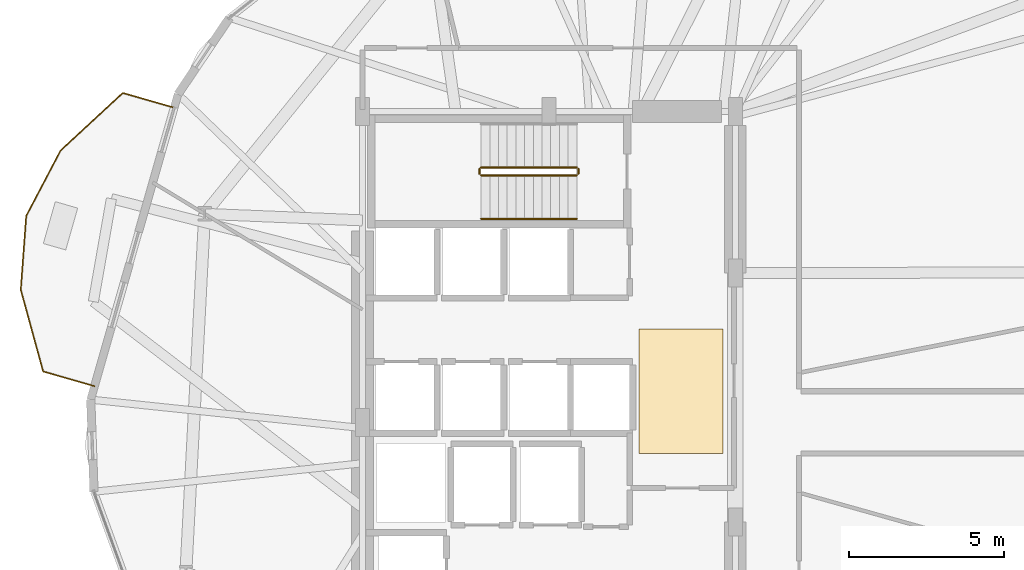
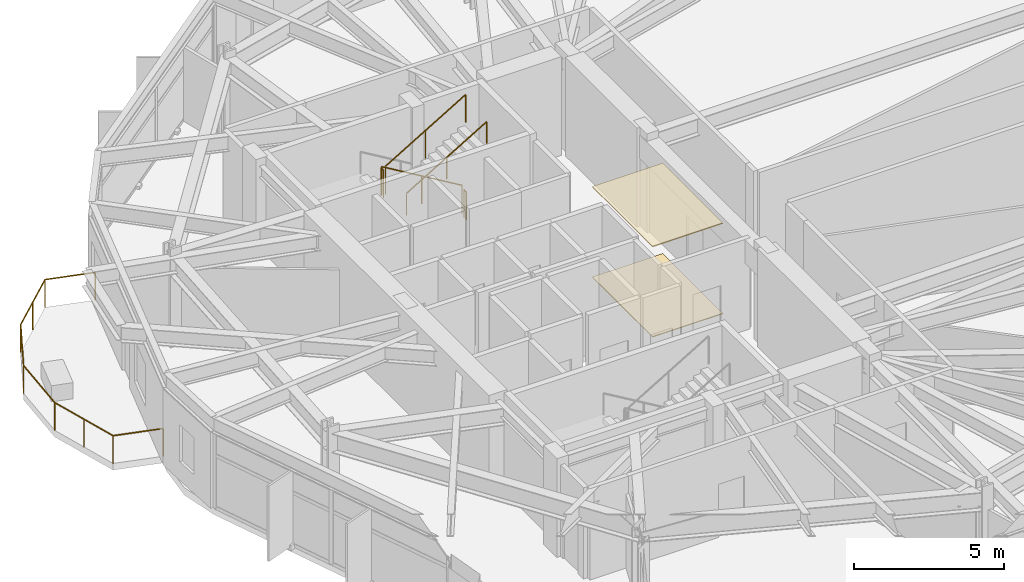
# One storey, part 20 of 21: 6 railings, 2 coverings.
"""IFC4 building model written with IfcOpenShell, lengths in metres."""

from ifc_helpers import new_model, si_unit, direction, frame, origin, origin_2d, place, context, subcontext, project, spatial, polyline, circle, outline, extrude, material, layer, layer_set, type_object, element, save


model = new_model("IFC4")

# Units and contexts
model_context = context("Model", 3, precision=1e-05, world=origin(), true_north=direction((0.0, 1.0)))
body_context = subcontext(model_context, "Body", "Model", "MODEL_VIEW")
ifc_project = project(units=[si_unit("LENGTHUNIT", "METRE"), si_unit("AREAUNIT", "SQUARE_METRE"), si_unit("VOLUMEUNIT", "CUBIC_METRE"), si_unit("PLANEANGLEUNIT", "RADIAN"), si_unit("MASSUNIT", "GRAM", prefix="KILO")], contexts=[model_context])

# Site, building, storey
site_placement = place(None, origin())
site = spatial("IfcSite", under=ifc_project, at=site_placement, CompositionType="ELEMENT")
building_placement = place(site_placement, origin())
building = spatial("IfcBuilding", under=site, at=building_placement, Name="Soratama Intermodal Tower", CompositionType="ELEMENT")
storey_placement = place(building_placement, frame((0.0, 0.0, 34.60009765625)))
storey = spatial("IfcBuildingStorey", under=building, at=storey_placement, Name="L07", CompositionType="ELEMENT", Elevation=34.60009765625)

# Coverings
ifc_material_1 = material(Name="Perforated mineral acoustic ceiling", Category="concrete")
ifc_layer_1 = layer(ifc_material_1, 0.0400390625)
ifc_layer_set_1 = layer_set([ifc_layer_1], Name="Perforated mineral acoustic ceiling")
covering_type_1 = type_object("IfcCoveringType", Name="CV-CEIL-ACOUSTIC", PredefinedType="CEILING", material=ifc_layer_set_1)
covering_1_placement = place(storey_placement, frame((0.0, 0.0, 3.659912109375)))
element("IfcCovering", 1, at=covering_1_placement, inside=storey, type_object=covering_type_1, Name="L07 Acoustic Ceiling", PredefinedType="CEILING", context=body_context, shape_type="SweptSolid", body=[
    extrude(outline(polyline([(41.5, 24.0), (44.199951171875, 24.0), (44.199951171875, 28.0), (41.5, 28.0), (41.5, 24.0)])), origin(), (0.0, 0.0, 1.0), 0.0400390625),
])
ifc_material_2 = material(Name="Polished Andean stone terrazzo flooring", Category="masonry")
ifc_layer_2 = layer(ifc_material_2, 0.030029296875)
ifc_layer_set_2 = layer_set([ifc_layer_2], Name="Polished Andean stone terrazzo flooring")
covering_type_2 = type_object("IfcCoveringType", Name="CV-FLOR-TERRAZZO", PredefinedType="FLOORING", material=ifc_layer_set_2)
covering_2_placement = place(storey_placement, origin())
element("IfcCovering", 2, at=covering_2_placement, inside=storey, type_object=covering_type_2, Name="L07 Lobby Terrazzo Flooring", PredefinedType="FLOORING", context=body_context, shape_type="SweptSolid", body=[
    extrude(outline(polyline([(41.5, 24.0), (44.199951171875, 24.0), (44.199951171875, 28.0), (41.5, 28.0), (41.5, 24.0)])), origin(), (0.0, 0.0, 1.0), 0.02978515625),
])

# Railings
ifc_material_3 = material(Name="Laminated glass and stainless steel balustrade", Category="steel")
railing_type_1 = type_object("IfcRailingType", Name="RL-BAL-1150", PredefinedType="BALUSTRADE", material=ifc_material_3)
railing_1_placement = place(storey_placement, frame((23.97802734375, 26.163818359375, 0.0)))
element("IfcRailing", 3, at=railing_1_placement, inside=storey, type_object=railing_type_1, Name="L07 Balcony Balustrade 3", PredefinedType="BALUSTRADE", context=body_context, shape_type="SweptSolid", body=[
    extrude(circle(Radius=0.02392578125, at=origin_2d()), frame((0.0, 0.0, 1.1259765625), z_axis=(-0.961465009279, 0.274927328458, 0.0), x_axis=(-0.274927328458, -0.961465009279, 0.0)), (0.0, 0.0, 1.0), 1.719970703125),
    extrude(circle(Radius=0.02392578125, at=origin_2d()), frame((-1.65380859375, 0.472900390625, 1.1259765625), z_axis=(-0.263965873988, 0.964532019878, 0.0), x_axis=(-0.964532019878, -0.263965873988, 0.0)), (0.0, 0.0, 1.0), 2.7265625),
    extrude(circle(Radius=0.02392578125, at=origin_2d()), frame((-2.37353515625, 3.102783203125, 1.1259765625), z_axis=(0.073425941534, 0.99730067237, 0.0), x_axis=(-0.99730067237, 0.073425941534, 0.0)), (0.0, 0.0, 1.0), 2.380615234375),
    extrude(circle(Radius=0.02392578125, at=origin_2d()), frame((-2.19873046875, 5.47705078125, 1.1259765625), z_axis=(0.464968552139, 0.885327196872, 0.0), x_axis=(-0.885327196872, 0.464968552139, 0.0)), (0.0, 0.0, 1.0), 2.380615234375),
    extrude(circle(Radius=0.02392578125, at=origin_2d()), frame((-1.091796875, 7.584716796875, 1.1259765625), z_axis=(0.73405815603, 0.679086609768, 0.0), x_axis=(-0.679086609768, 0.73405815603, 0.0)), (0.0, 0.0, 1.0), 2.726806640625),
    extrude(circle(Radius=0.02392578125, at=origin_2d()), frame((0.909912109375, 9.4365234375, 1.1259765625), z_axis=(0.961416743637, -0.275096065136, 0.0), x_axis=(0.275096065136, 0.961416743637, 0.0)), (0.0, 0.0, 1.0), 1.719970703125),
    extrude(circle(Radius=0.02099609375, at=origin_2d()), origin(), (0.0, 0.0, 1.0), 1.101806640625),
    extrude(circle(Radius=0.02099609375, at=origin_2d()), frame((-1.65380859375, 0.472900390625, 0.0)), (0.0, 0.0, 1.0), 1.101806640625),
    extrude(circle(Radius=0.02099609375, at=origin_2d()), frame((-2.013671875, 1.787841796875, 0.0)), (0.0, 0.0, 1.0), 1.101806640625),
    extrude(circle(Radius=0.02099609375, at=origin_2d()), frame((-2.37353515625, 3.102783203125, 0.0)), (0.0, 0.0, 1.0), 1.101806640625),
    extrude(circle(Radius=0.02099609375, at=origin_2d()), frame((-2.19873046875, 5.47705078125, 0.0)), (0.0, 0.0, 1.0), 1.101806640625),
    extrude(circle(Radius=0.02099609375, at=origin_2d()), frame((-1.091796875, 7.584716796875, 0.0)), (0.0, 0.0, 1.0), 1.101806640625),
    extrude(circle(Radius=0.02099609375, at=origin_2d()), frame((-0.0908203125, 8.5107421875, 0.0)), (0.0, 0.0, 1.0), 1.101806640625),
    extrude(circle(Radius=0.02099609375, at=origin_2d()), frame((0.909912109375, 9.4365234375, 0.0)), (0.0, 0.0, 1.0), 1.101806640625),
    extrude(circle(Radius=0.02099609375, at=origin_2d()), frame((2.5634765625, 8.96337890625, 0.0)), (0.0, 0.0, 1.0), 1.101806640625),
])
ifc_material_4 = material(Name="Painted steel stair guardrail", Category="steel")
railing_type_2 = type_object("IfcRailingType", Name="RL-STAIR-GUARD", PredefinedType="GUARDRAIL", material=ifc_material_4)
railing_2_placement = place(storey_placement, frame((39.5, 33.199951171875, 0.16650390625)))
element("IfcRailing", 4, at=railing_2_placement, inside=storey, type_object=railing_type_2, Name="L07 ST-2 stair guard 1", PredefinedType="GUARDRAIL", context=body_context, shape_type="SweptSolid", body=[
    extrude(circle(Radius=0.02392578125, at=origin_2d()), frame((0.0, 0.0, 1.1259765625), z_axis=(-0.85927862911, 0.0, 0.511507807912), x_axis=(0.0, -1.0, 0.0)), (0.0, 0.0, 1.0), 3.58447265625),
    extrude(circle(Radius=0.02099609375, at=origin_2d()), origin(), (0.0, 0.0, 1.0), 1.101806640625),
    extrude(circle(Radius=0.02099609375, at=origin_2d()), frame((-1.5400390625, 0.0, 0.916748046875)), (0.0, 0.0, 1.0), 1.101806640625),
    extrude(circle(Radius=0.02099609375, at=origin_2d()), frame((-3.080078125, 0.0, 1.83349609375)), (0.0, 0.0, 1.0), 1.101806640625),
])
railing_3_placement = place(storey_placement, frame((36.3701171875, 33.14990234375, 2.0)))
element("IfcRailing", 5, at=railing_3_placement, inside=storey, type_object=railing_type_2, Name="L07 ST-2 stair guard 2", PredefinedType="GUARDRAIL", context=body_context, shape_type="SweptSolid", body=[
    extrude(circle(Radius=0.02392578125, at=origin_2d()), frame((0.0, 0.0, 1.1259765625), z_axis=(0.0, -1.0, 0.0), x_axis=(1.0, 0.0, 0.0)), (0.0, 0.0, 1.0), 0.14990234375),
    extrude(circle(Radius=0.02099609375, at=origin_2d()), origin(), (0.0, 0.0, 1.0), 1.101806640625),
    extrude(circle(Radius=0.02099609375, at=origin_2d()), frame((0.0, -0.14990234375, 0.0)), (0.0, 0.0, 1.0), 1.101806640625),
])
railing_4_placement = place(storey_placement, frame((36.419921875, 32.949951171875, 2.16650390625)))
element("IfcRailing", 6, at=railing_4_placement, inside=storey, type_object=railing_type_2, Name="L07 ST-2 stair guard 3", PredefinedType="GUARDRAIL", context=body_context, shape_type="SweptSolid", body=[
    extrude(circle(Radius=0.02392578125, at=origin_2d()), frame((0.0, 0.0, 1.1259765625), z_axis=(0.85927862911, 0.0, 0.511507807912), x_axis=(0.0, 1.0, 0.0)), (0.0, 0.0, 1.0), 3.58447265625),
    extrude(circle(Radius=0.02099609375, at=origin_2d()), origin(), (0.0, 0.0, 1.0), 1.101806640625),
    extrude(circle(Radius=0.02099609375, at=origin_2d()), frame((1.5400390625, 0.0, 0.916748046875)), (0.0, 0.0, 1.0), 1.101806640625),
    extrude(circle(Radius=0.02099609375, at=origin_2d()), frame((3.080078125, 0.0, 1.83349609375)), (0.0, 0.0, 1.0), 1.101806640625),
])
railing_5_placement = place(storey_placement, frame((39.550048828125, 33.14990234375, 0.0)))
element("IfcRailing", 7, at=railing_5_placement, inside=storey, type_object=railing_type_2, Name="L07 ST-2 stair guard 4", PredefinedType="GUARDRAIL", context=body_context, shape_type="SweptSolid", body=[
    extrude(circle(Radius=0.02392578125, at=origin_2d()), frame((0.0, 0.0, 1.1259765625), z_axis=(0.0, -1.0, 0.0), x_axis=(1.0, 0.0, 0.0)), (0.0, 0.0, 1.0), 0.14990234375),
    extrude(circle(Radius=0.02099609375, at=origin_2d()), origin(), (0.0, 0.0, 1.0), 1.101806640625),
    extrude(circle(Radius=0.02099609375, at=origin_2d()), frame((0.0, -0.14990234375, 0.0)), (0.0, 0.0, 1.0), 1.101806640625),
])
ifc_material_5 = material(Name="Brushed stainless steel handrail", Category="steel")
railing_type_3 = type_object("IfcRailingType", Name="RL-STAIR-HAND", PredefinedType="HANDRAIL", material=ifc_material_5)
railing_6_placement = place(storey_placement, frame((36.419921875, 31.550048828125, 2.16650390625)))
element("IfcRailing", 8, at=railing_6_placement, inside=storey, type_object=railing_type_3, Name="L07 ST-2 stair handrail 2", PredefinedType="HANDRAIL", context=body_context, shape_type="SweptSolid", body=[
    extrude(circle(Radius=0.02392578125, at=origin_2d()), frame((0.0, 0.0, 0.8759765625), z_axis=(0.85927862911, 0.0, 0.511507807912), x_axis=(0.0, 1.0, 0.0)), (0.0, 0.0, 1.0), 3.58447265625),
    extrude(circle(Radius=0.02099609375, at=origin_2d()), origin(), (0.0, 0.0, 1.0), 0.851806640625),
    extrude(circle(Radius=0.02099609375, at=origin_2d()), frame((1.5400390625, 0.0, 0.916748046875)), (0.0, 0.0, 1.0), 0.851806640625),
    extrude(circle(Radius=0.02099609375, at=origin_2d()), frame((3.080078125, 0.0, 1.83349609375)), (0.0, 0.0, 1.0), 0.851806640625),
])

save(model, "model.ifc")
